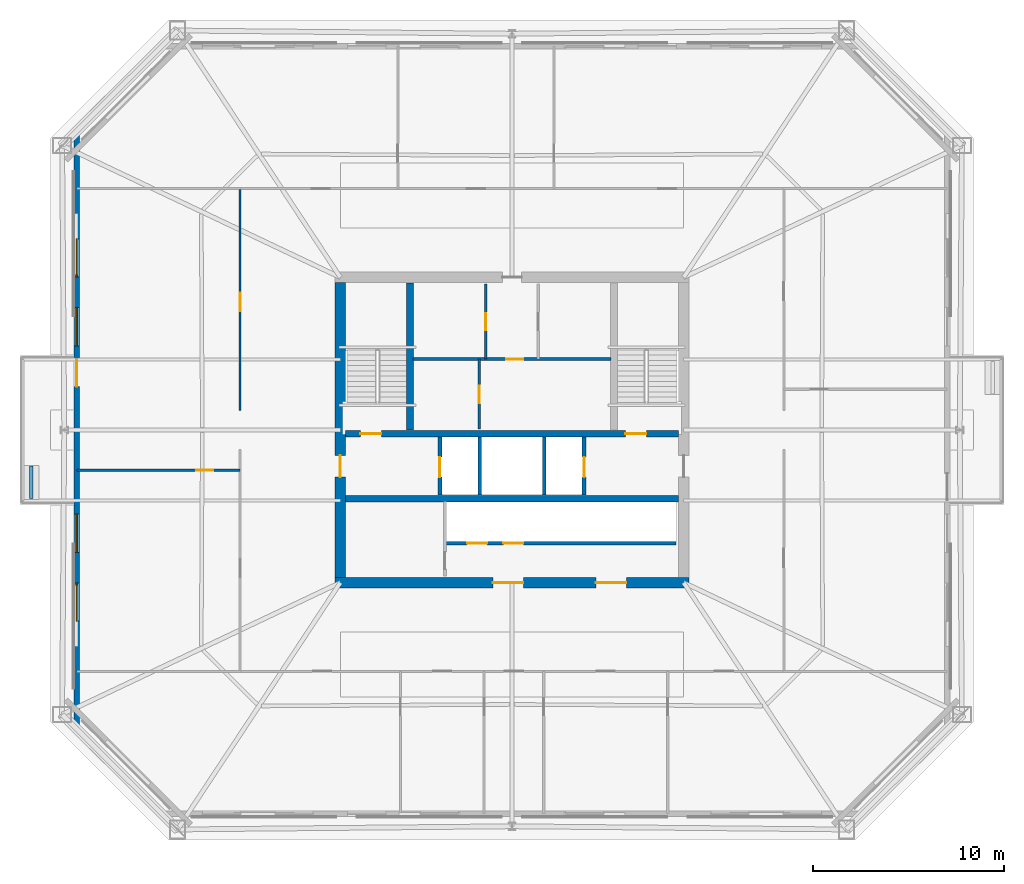
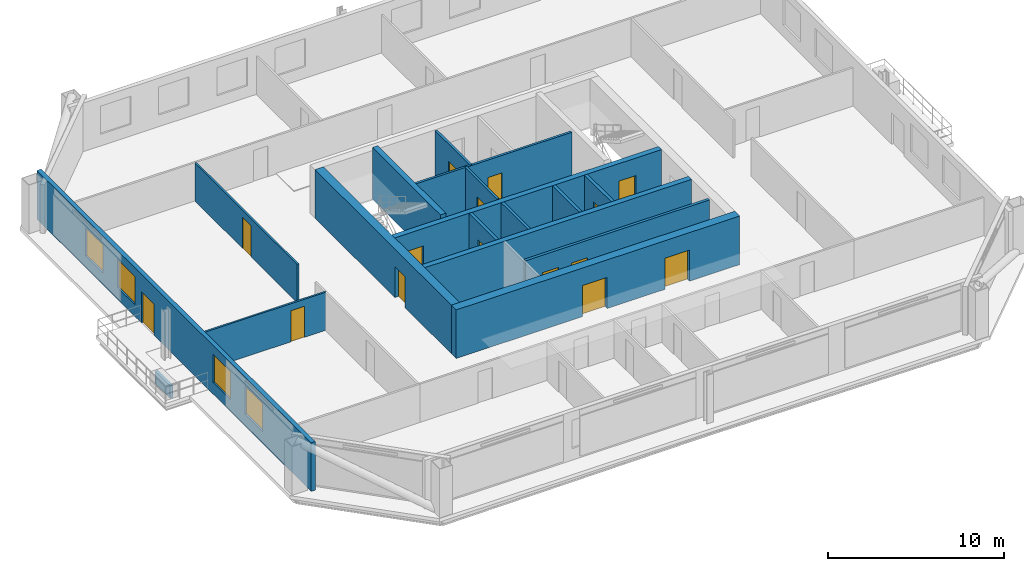
# One storey, part 3 of 8: 17 walls, 15 doors, 4 windows, 19 openings.
"""IFC4 building model written with IfcOpenShell, lengths in metres."""

from ifc_helpers import new_model, si_unit, direction, frame, frame_2d, origin, place, context, subcontext, project, spatial, rectangle, extrude, material, layer, layer_set, type_object, element, fill, save


model = new_model("IFC4")

# Units and contexts
model_context = context("Model", 3, precision=1e-05, world=origin(), true_north=direction((0.0, 1.0)))
body_context = subcontext(model_context, "Body", "Model", "MODEL_VIEW")
ifc_project = project(units=[si_unit("LENGTHUNIT", "METRE"), si_unit("AREAUNIT", "SQUARE_METRE"), si_unit("VOLUMEUNIT", "CUBIC_METRE"), si_unit("PLANEANGLEUNIT", "RADIAN"), si_unit("MASSUNIT", "GRAM", prefix="KILO")], contexts=[model_context])

# Site, building, storey
site_placement = place(None, origin())
site = spatial("IfcSite", under=ifc_project, at=site_placement, CompositionType="ELEMENT")
building_placement = place(site_placement, origin())
building = spatial("IfcBuilding", under=site, at=building_placement, Name="Caelvoria Tower", CompositionType="ELEMENT")
storey_placement = place(building_placement, frame((0.0, 0.0, 142.0)))
storey = spatial("IfcBuildingStorey", under=building, at=storey_placement, Name="L37", CompositionType="ELEMENT", Elevation=142.0)

# Wall
ifc_material_1 = material(Name="Bronze-Clad Concrete C40/50", Category="concrete")
ifc_layer_1 = layer(ifc_material_1, 0.179931640625, Name="Bronze-Clad Concrete C40/50")
ifc_layer_set_1 = layer_set([ifc_layer_1], Name="Architectural Planter Kerb Wall 180 - Bronze-Clad Concrete C40/50")
wall_type_1 = type_object("IfcWallType", Name="Architectural Planter Kerb Wall 180", PredefinedType="PARAPET", material=ifc_layer_set_1)
wall_1_placement = place(storey_placement, frame((20.800048828125, 28.39990234375, 0.0), z_axis=(0.0, 0.0, 1.0), x_axis=(0.0, 1.0, 0.0)))
element("IfcWall", 1, at=wall_1_placement, inside=storey, type_object=wall_type_1, Name="Tree Balcony Planter Kerb PLANTER TB-L37-W", PredefinedType="PARAPET", context=body_context, shape_type="SweptSolid", body=[
    extrude(rectangle(XDim=1.7001953125, YDim=0.179931640625, at=frame_2d((0.85009765625, 0.0))), origin(), (0.0, 0.0, 1.0), 0.8798828125),
])

# Wall, openings, doors
ifc_material_2 = material(Name="Concrete C50/60", Category="concrete")
ifc_layer_2 = layer(ifc_material_2, 0.35009765625, Name="Concrete C50/60")
ifc_layer_set_2 = layer_set([ifc_layer_2], Name="Core Internal Shear Wall 350 - Concrete C50/60")
wall_type_2 = type_object("IfcWallType", Name="Core Internal Shear Wall 350", PredefinedType="SHEAR", material=ifc_layer_set_2)
wall_2_placement = place(storey_placement, frame((37.27490234375, 31.800048828125, 0.0), z_axis=(0.0, 0.0, 1.0), x_axis=(1.0, 0.0, 0.0)))
wall_2 = element("IfcWall", 2, at=wall_2_placement, inside=storey, type_object=wall_type_2, Name="Core Shear Wall L37 M1", PredefinedType="SHEAR", context=body_context, shape_type="SweptSolid", body=[
    extrude(rectangle(XDim=17.4501953125, YDim=0.35009765625, at=frame_2d((8.72509765625, 0.0))), origin(), (0.0, 0.0, 1.0), 3.360107421875),
])
opening_1_placement = place(wall_2_placement, frame((0.77490234375, 0.0, 0.0)))
opening_1 = element("IfcOpeningElement", 3, at=opening_1_placement, cuts=wall_2, Name="Opening ID-01", PredefinedType="OPENING", context=body_context, shape_type="SweptSolid", body=[
    extrude(rectangle(XDim=1.10009765625, YDim=2.14990234375, at=frame_2d((0.550048828125, 1.074951171875))), frame((0.0, 0.18505859375, 0.0), z_axis=(0.0, -1.0, 0.0), x_axis=(1.0, 0.0, 0.0)), (0.0, 0.0, 1.0), 0.3701171875),
])
opening_2_placement = place(wall_2_placement, frame((14.675048828125, 0.0, 0.0)))
opening_2 = element("IfcOpeningElement", 4, at=opening_2_placement, cuts=wall_2, Name="Opening ID-01", PredefinedType="OPENING", context=body_context, shape_type="SweptSolid", body=[
    extrude(rectangle(XDim=1.10009765625, YDim=2.14990234375, at=frame_2d((0.550048828125, 1.074951171875))), frame((0.0, 0.18505859375, 0.0), z_axis=(0.0, -1.0, 0.0), x_axis=(1.0, 0.0, 0.0)), (0.0, 0.0, 1.0), 0.3701171875),
])
ifc_material_3 = material(Name="Painted Hollow Steel Fire Door", Category="steel")
door_type_1 = type_object("IfcDoorType", Name="Fire Door FD90S 1100x2150", OperationType="NOTDEFINED", PredefinedType="DOOR", material=ifc_material_3)
door_1_placement = place(opening_1_placement, origin())
door_1 = element("IfcDoor", 5, at=door_1_placement, inside=storey, type_object=door_type_1, Name="Core Door DR-L37-ST1", OperationType="SINGLE_SWING_LEFT", OverallHeight=2.14990234375, OverallWidth=1.10009765625, PredefinedType="DOOR", context=body_context, shape_type="SweptSolid", body=[
    extrude(rectangle(XDim=1.10009765625, YDim=2.14990234375, at=frame_2d((0.550048828125, 1.074951171875))), frame((0.0, 0.02490234375, 0.0), z_axis=(0.0, -1.0, 0.0), x_axis=(1.0, 0.0, 0.0)), (0.0, 0.0, 1.0), 0.050048828125),
])
fill(opening_1, door_1)
door_2_placement = place(opening_2_placement, origin())
door_2 = element("IfcDoor", 6, at=door_2_placement, inside=storey, type_object=door_type_1, Name="Core Door DR-L37-ST2", OperationType="SINGLE_SWING_RIGHT", OverallHeight=2.14990234375, OverallWidth=1.10009765625, PredefinedType="DOOR", context=body_context, shape_type="SweptSolid", body=[
    extrude(rectangle(XDim=1.10009765625, YDim=2.14990234375, at=frame_2d((0.550048828125, 1.074951171875))), frame((0.0, 0.02490234375, 0.0), z_axis=(0.0, -1.0, 0.0), x_axis=(1.0, 0.0, 0.0)), (0.0, 0.0, 1.0), 0.050048828125),
])
fill(opening_2, door_2)

# Walls
wall_3_placement = place(storey_placement, frame((37.27490234375, 28.39990234375, 0.0), z_axis=(0.0, 0.0, 1.0), x_axis=(1.0, 0.0, 0.0)))
element("IfcWall", 7, at=wall_3_placement, inside=storey, type_object=wall_type_2, Name="Core Shear Wall L37 M2", PredefinedType="SHEAR", context=body_context, shape_type="SweptSolid", body=[
    extrude(rectangle(XDim=17.4501953125, YDim=0.35009765625, at=frame_2d((8.72509765625, 0.0))), origin(), (0.0, 0.0, 1.0), 3.360107421875),
])
wall_4_placement = place(storey_placement, frame((40.64990234375, 32.0, 0.0), z_axis=(0.0, 0.0, 1.0), x_axis=(0.0, 1.0, 0.0)))
element("IfcWall", 8, at=wall_4_placement, inside=storey, type_object=wall_type_2, Name="Interior Partition IW-L37-ST1E", PredefinedType="SHEAR", context=body_context, shape_type="SweptSolid", body=[
    extrude(rectangle(XDim=7.699951171875, YDim=0.35009765625, at=frame_2d((3.85009765625, 0.0))), origin(), (0.0, 0.0, 1.0), 3.60009765625),
])

# Wall, opening, door
ifc_material_4 = material(Name="Double Gypsum Board on Steel Stud", Category="steel")
ifc_layer_3 = layer(ifc_material_4, 0.14990234375, Name="Double Gypsum Board on Steel Stud")
ifc_layer_set_3 = layer_set([ifc_layer_3], Name="Core Service Acoustic Partition Wall 150 - Double Gypsum Board on Steel Stud")
wall_type_3 = type_object("IfcWallType", Name="Core Service Acoustic Partition Wall 150", PredefinedType="PARTITIONING", material=ifc_layer_set_3)
wall_5_placement = place(storey_placement, frame((44.6201171875, 35.719970703125, 0.0), z_axis=(0.0, 0.0, 1.0), x_axis=(0.0, 1.0, 0.0)))
wall_5 = element("IfcWall", 9, at=wall_5_placement, inside=storey, type_object=wall_type_3, Name="Interior Partition IW-L37-C0L", PredefinedType="PARTITIONING", context=body_context, shape_type="SweptSolid", body=[
    extrude(rectangle(XDim=3.929931640625, YDim=0.14990234375, at=frame_2d((1.96484375, 0.0))), origin(), (0.0, 0.0, 1.0), 3.360107421875),
])
opening_3_placement = place(wall_5_placement, frame((1.5, 0.0, 0.0)))
opening_3 = element("IfcOpeningElement", 10, at=opening_3_placement, cuts=wall_5, Name="Opening ID-06", PredefinedType="OPENING", context=body_context, shape_type="SweptSolid", body=[
    extrude(rectangle(XDim=0.89990234375, YDim=2.14990234375, at=frame_2d((0.449951171875, 1.074951171875))), frame((0.0, 0.0849609375, 0.0), z_axis=(0.0, -1.0, 0.0), x_axis=(1.0, 0.0, 0.0)), (0.0, 0.0, 1.0), 0.169921875),
])
ifc_material_5 = material(Name="Engineered Andean Oak Veneer Door", Category="wood")
door_type_2 = type_object("IfcDoorType", Name="Interior Timber Door 900x2150", OperationType="NOTDEFINED", PredefinedType="DOOR", material=ifc_material_5)
door_3_placement = place(opening_3_placement, origin())
door_3 = element("IfcDoor", 11, at=door_3_placement, inside=storey, type_object=door_type_2, Name="Interior Door DR-L37-C01", OperationType="SINGLE_SWING_LEFT", OverallHeight=2.14990234375, OverallWidth=0.89990234375, PredefinedType="DOOR", context=body_context, shape_type="SweptSolid", body=[
    extrude(rectangle(XDim=0.89990234375, YDim=2.14990234375, at=frame_2d((0.449951171875, 1.074951171875))), frame((0.0, 0.02490234375, 0.0), z_axis=(0.0, -1.0, 0.0), x_axis=(1.0, 0.0, 0.0)), (0.0, 0.0, 1.0), 0.050048828125),
])
fill(opening_3, door_3)

wall_6_placement = place(storey_placement, frame((44.280029296875, 32.050048828125, 0.0), z_axis=(0.0, 0.0, 1.0), x_axis=(0.0, 1.0, 0.0)))
wall_6 = element("IfcWall", 12, at=wall_6_placement, inside=storey, type_object=wall_type_3, Name="Interior Partition IW-L37-C0M", PredefinedType="PARTITIONING", context=body_context, shape_type="SweptSolid", body=[
    extrude(rectangle(XDim=3.669921875, YDim=0.14990234375, at=frame_2d((1.8349609375, 0.0))), origin(), (0.0, 0.0, 1.0), 3.360107421875),
])
opening_4_placement = place(wall_6_placement, frame((1.35009765625, 0.0, 0.0)))
opening_4 = element("IfcOpeningElement", 13, at=opening_4_placement, cuts=wall_6, Name="Opening ID-07", PredefinedType="OPENING", context=body_context, shape_type="SweptSolid", body=[
    extrude(rectangle(XDim=0.919921875, YDim=2.14990234375, at=frame_2d((0.4599609375, 1.074951171875))), frame((0.0, 0.0849609375, 0.0), z_axis=(0.0, -1.0, 0.0), x_axis=(1.0, 0.0, 0.0)), (0.0, 0.0, 1.0), 0.169921875),
])
ifc_material_6 = material(Name="Engineered Andean Oak Accessible Door", Category="wood")
door_type_3 = type_object("IfcDoorType", Name="Accessible WC Door 950x2150", OperationType="NOTDEFINED", PredefinedType="DOOR", material=ifc_material_6)
door_4_placement = place(opening_4_placement, origin())
door_4 = element("IfcDoor", 14, at=door_4_placement, inside=storey, type_object=door_type_3, Name="Interior Door DR-L37-C05", OperationType="SINGLE_SWING_LEFT", OverallHeight=2.14990234375, OverallWidth=0.919921875, PredefinedType="DOOR", context=body_context, shape_type="SweptSolid", body=[
    extrude(rectangle(XDim=0.919921875, YDim=2.14990234375, at=frame_2d((0.4599609375, 1.074951171875))), frame((0.0, 0.02490234375, 0.0), z_axis=(0.0, -1.0, 0.0), x_axis=(1.0, 0.0, 0.0)), (0.0, 0.0, 1.0), 0.050048828125),
])
fill(opening_4, door_4)

wall_7_placement = place(storey_placement, frame((40.800048828125, 35.719970703125, 0.0), z_axis=(0.0, 0.0, 1.0), x_axis=(1.0, 0.0, 0.0)))
wall_7 = element("IfcWall", 15, at=wall_7_placement, inside=storey, type_object=wall_type_3, Name="Interior Partition IW-L37-C0H", PredefinedType="PARTITIONING", context=body_context, shape_type="SweptSolid", body=[
    extrude(rectangle(XDim=10.39990234375, YDim=0.14990234375, at=frame_2d((5.199951171875, 0.0))), origin(), (0.0, 0.0, 1.0), 3.360107421875),
])
opening_5_placement = place(wall_7_placement, frame((4.89990234375, 0.0, 0.0)))
opening_5 = element("IfcOpeningElement", 16, at=opening_5_placement, cuts=wall_7, Name="Opening ID-04", PredefinedType="OPENING", context=body_context, shape_type="SweptSolid", body=[
    extrude(rectangle(XDim=0.89990234375, YDim=2.14990234375, at=frame_2d((0.449951171875, 1.074951171875))), frame((0.0, 0.0849609375, 0.0), z_axis=(0.0, -1.0, 0.0), x_axis=(1.0, 0.0, 0.0)), (0.0, 0.0, 1.0), 0.169921875),
])
ifc_material_7 = material(Name="Acoustic Timber Fire Door", Category="wood")
door_type_4 = type_object("IfcDoorType", Name="Fire Door FD30S 900x2150", OperationType="NOTDEFINED", PredefinedType="DOOR", material=ifc_material_7)
door_5_placement = place(opening_5_placement, origin())
door_5 = element("IfcDoor", 17, at=door_5_placement, inside=storey, type_object=door_type_4, Name="Interior Door DR-L37-C04", OperationType="SINGLE_SWING_RIGHT", OverallHeight=2.14990234375, OverallWidth=0.89990234375, PredefinedType="DOOR", context=body_context, shape_type="SweptSolid", body=[
    extrude(rectangle(XDim=0.89990234375, YDim=2.14990234375, at=frame_2d((0.449951171875, 1.074951171875))), frame((0.0, 0.02490234375, 0.0), z_axis=(0.0, -1.0, 0.0), x_axis=(1.0, 0.0, 0.0)), (0.0, 0.0, 1.0), 0.050048828125),
])
fill(opening_5, door_5)

# Wall, openings, windows, door
ifc_material_8 = material(Name="Precast Concrete C40/50 with Bronze Cladding", Category="concrete")
ifc_layer_4 = layer(ifc_material_8, 0.280029296875, Name="Precast Concrete C40/50 with Bronze Cladding")
ifc_layer_set_4 = layer_set([ifc_layer_4], Name="Exterior Precast Concrete C40/50 Bronze-Clad Facade Wall 280 - Precast Concrete C40/50 with Bronze Cladding")
wall_type_4 = type_object("IfcWallType", Name="Exterior Precast Concrete C40/50 Bronze-Clad Facade Wall 280", PredefinedType="STANDARD", material=ifc_layer_set_4)
wall_8_placement = place(storey_placement, frame((23.179931640625, 47.5400390625, 0.0), z_axis=(0.0, 0.0, 1.0), x_axis=(0.0, -1.0, 0.0)))
wall_8 = element("IfcWall", 18, at=wall_8_placement, inside=storey, type_object=wall_type_4, Name="Exterior Facade Wall L37-E6", PredefinedType="STANDARD", context=body_context, shape_type="SweptSolid", body=[
    extrude(rectangle(XDim=31.080078125, YDim=0.280029296875, at=frame_2d((15.5400390625, 0.0))), origin(), (0.0, 0.0, 1.0), 3.360107421875),
])
opening_6_placement = place(wall_8_placement, frame((11.860107421875, 0.0, 0.0)))
opening_6 = element("IfcOpeningElement", 19, at=opening_6_placement, cuts=wall_8, Name="Opening ED-04", PredefinedType="OPENING", context=body_context, shape_type="SweptSolid", body=[
    extrude(rectangle(XDim=1.39990234375, YDim=2.14990234375, at=frame_2d((0.699951171875, 1.074951171875))), frame((0.0, 0.14990234375, 0.0), z_axis=(0.0, -1.0, 0.0), x_axis=(1.0, 0.0, 0.0)), (0.0, 0.0, 1.0), 0.300048828125),
])
opening_7_placement = place(wall_8_placement, frame((5.514892578125, 0.0, 0.800048828125)))
opening_7 = element("IfcOpeningElement", 20, at=opening_7_placement, cuts=wall_8, Name="Opening WN-01", PredefinedType="OPENING", context=body_context, shape_type="SweptSolid", body=[
    extrude(rectangle(XDim=2.0, YDim=1.949951171875, at=frame_2d((1.0, 0.97509765625))), frame((0.0, 0.14990234375, 0.0), z_axis=(0.0, -1.0, 0.0), x_axis=(1.0, 0.0, 0.0)), (0.0, 0.0, 1.0), 0.300048828125),
])
opening_8_placement = place(wall_8_placement, frame((9.125, 0.0, 0.800048828125)))
opening_8 = element("IfcOpeningElement", 21, at=opening_8_placement, cuts=wall_8, Name="Opening WN-01", PredefinedType="OPENING", context=body_context, shape_type="SweptSolid", body=[
    extrude(rectangle(XDim=2.0, YDim=1.949951171875, at=frame_2d((1.0, 0.97509765625))), frame((0.0, 0.14990234375, 0.0), z_axis=(0.0, -1.0, 0.0), x_axis=(1.0, 0.0, 0.0)), (0.0, 0.0, 1.0), 0.300048828125),
])
opening_9_placement = place(wall_8_placement, frame((19.955078125, 0.0, 0.800048828125)))
opening_9 = element("IfcOpeningElement", 22, at=opening_9_placement, cuts=wall_8, Name="Opening WN-01", PredefinedType="OPENING", context=body_context, shape_type="SweptSolid", body=[
    extrude(rectangle(XDim=2.0, YDim=1.949951171875, at=frame_2d((1.0, 0.97509765625))), frame((0.0, 0.14990234375, 0.0), z_axis=(0.0, -1.0, 0.0), x_axis=(1.0, 0.0, 0.0)), (0.0, 0.0, 1.0), 0.300048828125),
])
opening_10_placement = place(wall_8_placement, frame((23.56494140625, 0.0, 0.800048828125)))
opening_10 = element("IfcOpeningElement", 23, at=opening_10_placement, cuts=wall_8, Name="Opening WN-01", PredefinedType="OPENING", context=body_context, shape_type="SweptSolid", body=[
    extrude(rectangle(XDim=2.0, YDim=1.949951171875, at=frame_2d((1.0, 0.97509765625))), frame((0.0, 0.14990234375, 0.0), z_axis=(0.0, -1.0, 0.0), x_axis=(1.0, 0.0, 0.0)), (0.0, 0.0, 1.0), 0.300048828125),
])
ifc_material_9 = material(Name="Low-E Tinted Glass in Bronze Aluminium Frame", Category="aluminium")
window_type = type_object("IfcWindowType", Name="Tower Office Vision Window 2000x1950", PartitioningType="SINGLE_PANEL", PredefinedType="WINDOW", material=ifc_material_9)
window_1_placement = place(opening_7_placement, origin())
window_1 = element("IfcWindow", 24, at=window_1_placement, inside=storey, type_object=window_type, Name="Facade Window L37-E6-01", OverallHeight=1.949951171875, OverallWidth=2.0, PartitioningType="SINGLE_PANEL", PredefinedType="WINDOW", context=body_context, shape_type="SweptSolid", body=[
    extrude(rectangle(XDim=2.0, YDim=1.949951171875, at=frame_2d((1.0, 0.97509765625))), frame((0.0, 0.030029296875, 0.0), z_axis=(0.0, -1.0, 0.0), x_axis=(1.0, 0.0, 0.0)), (0.0, 0.0, 1.0), 0.06005859375),
])
fill(opening_7, window_1)
window_2_placement = place(opening_8_placement, origin())
window_2 = element("IfcWindow", 25, at=window_2_placement, inside=storey, type_object=window_type, Name="Facade Window L37-E6-02", OverallHeight=1.949951171875, OverallWidth=2.0, PartitioningType="SINGLE_PANEL", PredefinedType="WINDOW", context=body_context, shape_type="SweptSolid", body=[
    extrude(rectangle(XDim=2.0, YDim=1.949951171875, at=frame_2d((1.0, 0.97509765625))), frame((0.0, 0.030029296875, 0.0), z_axis=(0.0, -1.0, 0.0), x_axis=(1.0, 0.0, 0.0)), (0.0, 0.0, 1.0), 0.06005859375),
])
fill(opening_8, window_2)
window_3_placement = place(opening_9_placement, origin())
window_3 = element("IfcWindow", 26, at=window_3_placement, inside=storey, type_object=window_type, Name="Facade Window L37-E6-05", OverallHeight=1.949951171875, OverallWidth=2.0, PartitioningType="SINGLE_PANEL", PredefinedType="WINDOW", context=body_context, shape_type="SweptSolid", body=[
    extrude(rectangle(XDim=2.0, YDim=1.949951171875, at=frame_2d((1.0, 0.97509765625))), frame((0.0, 0.030029296875, 0.0), z_axis=(0.0, -1.0, 0.0), x_axis=(1.0, 0.0, 0.0)), (0.0, 0.0, 1.0), 0.06005859375),
])
fill(opening_9, window_3)
window_4_placement = place(opening_10_placement, origin())
window_4 = element("IfcWindow", 27, at=window_4_placement, inside=storey, type_object=window_type, Name="Facade Window L37-E6-06", OverallHeight=1.949951171875, OverallWidth=2.0, PartitioningType="SINGLE_PANEL", PredefinedType="WINDOW", context=body_context, shape_type="SweptSolid", body=[
    extrude(rectangle(XDim=2.0, YDim=1.949951171875, at=frame_2d((1.0, 0.97509765625))), frame((0.0, 0.030029296875, 0.0), z_axis=(0.0, -1.0, 0.0), x_axis=(1.0, 0.0, 0.0)), (0.0, 0.0, 1.0), 0.06005859375),
])
fill(opening_10, window_4)
ifc_material_10 = material(Name="Anodised Bronze Aluminium and Laminated Glass", Category="aluminium")
door_type_5 = type_object("IfcDoorType", Name="Tree Balcony Glazed Door 1400x2150", OperationType="NOTDEFINED", PredefinedType="DOOR", material=ifc_material_10)
door_6_placement = place(opening_6_placement, origin())
door_6 = element("IfcDoor", 28, at=door_6_placement, inside=storey, type_object=door_type_5, Name="Tree Balcony Door L37-W", OperationType="SINGLE_SWING_LEFT", OverallHeight=2.14990234375, OverallWidth=1.39990234375, PredefinedType="DOOR", context=body_context, shape_type="SweptSolid", body=[
    extrude(rectangle(XDim=1.39990234375, YDim=2.14990234375, at=frame_2d((0.699951171875, 1.074951171875))), frame((0.0, 0.02490234375, 0.0), z_axis=(0.0, -1.0, 0.0), x_axis=(1.0, 0.0, 0.0)), (0.0, 0.0, 1.0), 0.050048828125),
])
fill(opening_6, door_6)

# Walls
ifc_material_11 = material(Name="Concrete Block and Fireboard Assembly", Category="concrete")
ifc_layer_5 = layer(ifc_material_11, 0.179931640625, Name="Concrete Block and Fireboard Assembly")
ifc_layer_set_5 = layer_set([ifc_layer_5], Name="Fire-Rated Hoistway Partition Wall 180 - Concrete Block and Fireboard Assembly")
wall_type_5 = type_object("IfcWallType", Name="Fire-Rated Hoistway Partition Wall 180", PredefinedType="PARTITIONING", material=ifc_layer_set_5)
for number, where, z_axis, x_axis, name in (
    (29, (44.320068359375, 28.580078125, 0.0), (0.0, 0.0, 1.0), (0.0, 1.0, 0.0), "Interior Partition IW-L37-SV1W"),
    (30, (47.679931640625, 28.580078125, 0.0), (0.0, 0.0, 1.0), (0.0, 1.0, 0.0), "Interior Partition IW-L37-SV1E"),
):
    element("IfcWall", number, at=place(storey_placement, frame(where, z_axis=z_axis, x_axis=x_axis)), inside=storey, type_object=wall_type_5, Name=name, PredefinedType="PARTITIONING", context=body_context, shape_type="SweptSolid", body=[
        extrude(rectangle(XDim=3.0400390625, YDim=0.179931640625, at=frame_2d((1.52001953125, 0.0))), origin(), (0.0, 0.0, 1.0), 3.360107421875),
    ])

# Wall, openings, doors
wall_9_placement = place(storey_placement, frame((42.550048828125, 26.050048828125, 0.0), z_axis=(0.0, 0.0, 1.0), x_axis=(1.0, 0.0, 0.0)))
wall_9 = element("IfcWall", 31, at=wall_9_placement, inside=storey, type_object=wall_type_5, Name="Interior Partition IW-L37-LFRONT", PredefinedType="PARTITIONING", context=body_context, shape_type="SweptSolid", body=[
    extrude(rectangle(XDim=12.050048828125, YDim=0.179931640625, at=frame_2d((6.02490234375, 0.0))), origin(), (0.0, 0.0, 1.0), 3.360107421875),
])
opening_11_placement = place(wall_9_placement, frame((1.10009765625, 0.0, 0.0)))
opening_11 = element("IfcOpeningElement", 32, at=opening_11_placement, cuts=wall_9, Name="Opening LD-01", PredefinedType="OPENING", context=body_context, shape_type="SweptSolid", body=[
    extrude(rectangle(XDim=1.050048828125, YDim=2.14990234375, at=frame_2d((0.52490234375, 1.074951171875))), frame((0.0, 0.099853515625, 0.0), z_axis=(0.0, -1.0, 0.0), x_axis=(1.0, 0.0, 0.0)), (0.0, 0.0, 1.0), 0.199951171875),
])
opening_12_placement = place(wall_9_placement, frame((3.0, 0.0, 0.0)))
opening_12 = element("IfcOpeningElement", 33, at=opening_12_placement, cuts=wall_9, Name="Opening LD-01", PredefinedType="OPENING", context=body_context, shape_type="SweptSolid", body=[
    extrude(rectangle(XDim=1.050048828125, YDim=2.14990234375, at=frame_2d((0.52490234375, 1.074951171875))), frame((0.0, 0.099853515625, 0.0), z_axis=(0.0, -1.0, 0.0), x_axis=(1.0, 0.0, 0.0)), (0.0, 0.0, 1.0), 0.199951171875),
])
ifc_material_12 = material(Name="Brushed Bronze Stainless Sliding Landing Door", Category="aluminium")
door_type_6 = type_object("IfcDoorType", Name="Lift Landing Sliding Door 1100x2150", OperationType="NOTDEFINED", PredefinedType="DOOR", material=ifc_material_12)
door_7_placement = place(opening_11_placement, origin())
door_7 = element("IfcDoor", 34, at=door_7_placement, inside=storey, type_object=door_type_6, Name="Interior Door LD-L37-PM1", OperationType="SLIDING_TO_LEFT", OverallHeight=2.14990234375, OverallWidth=1.050048828125, PredefinedType="DOOR", context=body_context, shape_type="SweptSolid", body=[
    extrude(rectangle(XDim=1.050048828125, YDim=2.14990234375, at=frame_2d((0.52490234375, 1.074951171875))), frame((0.0, 0.02490234375, 0.0), z_axis=(0.0, -1.0, 0.0), x_axis=(1.0, 0.0, 0.0)), (0.0, 0.0, 1.0), 0.050048828125),
])
fill(opening_11, door_7)
door_8_placement = place(opening_12_placement, origin())
door_8 = element("IfcDoor", 35, at=door_8_placement, inside=storey, type_object=door_type_6, Name="Interior Door LD-L37-PM2", OperationType="SLIDING_TO_RIGHT", OverallHeight=2.14990234375, OverallWidth=1.050048828125, PredefinedType="DOOR", context=body_context, shape_type="SweptSolid", body=[
    extrude(rectangle(XDim=1.050048828125, YDim=2.14990234375, at=frame_2d((0.52490234375, 1.074951171875))), frame((0.0, 0.02490234375, 0.0), z_axis=(0.0, -1.0, 0.0), x_axis=(1.0, 0.0, 0.0)), (0.0, 0.0, 1.0), 0.050048828125),
])
fill(opening_12, door_8)

# Wall, opening, door
ifc_layer_6 = layer(ifc_material_11, 0.199951171875, Name="Concrete Block and Fireboard Assembly")
ifc_layer_set_6 = layer_set([ifc_layer_6], Name="Fire-Rated Shaft and Core Partition Wall 200 - Concrete Block and Fireboard Assembly")
wall_type_6 = type_object("IfcWallType", Name="Fire-Rated Shaft and Core Partition Wall 200", PredefinedType="PARTITIONING", material=ifc_layer_set_6)
wall_10_placement = place(storey_placement, frame((42.219970703125, 28.580078125, 0.0), z_axis=(0.0, 0.0, 1.0), x_axis=(0.0, 1.0, 0.0)))
wall_10 = element("IfcWall", 36, at=wall_10_placement, inside=storey, type_object=wall_type_6, Name="Interior Partition IW-L37-LF1W", PredefinedType="PARTITIONING", context=body_context, shape_type="SweptSolid", body=[
    extrude(rectangle(XDim=3.0400390625, YDim=0.199951171875, at=frame_2d((1.52001953125, 0.0))), origin(), (0.0, 0.0, 1.0), 3.360107421875),
])
opening_13_placement = place(wall_10_placement, frame((0.949951171875, 0.0, 0.0)))
opening_13 = element("IfcOpeningElement", 37, at=opening_13_placement, cuts=wall_10, Name="Opening LD-01", PredefinedType="OPENING", context=body_context, shape_type="SweptSolid", body=[
    extrude(rectangle(XDim=1.050048828125, YDim=2.14990234375, at=frame_2d((0.52490234375, 1.074951171875))), frame((0.0, 0.10986328125, 0.0), z_axis=(0.0, -1.0, 0.0), x_axis=(1.0, 0.0, 0.0)), (0.0, 0.0, 1.0), 0.219970703125),
])
door_9_placement = place(opening_13_placement, origin())
door_9 = element("IfcDoor", 38, at=door_9_placement, inside=storey, type_object=door_type_6, Name="Interior Door LD-L37-LF1", OperationType="SLIDING_TO_LEFT", OverallHeight=2.14990234375, OverallWidth=1.050048828125, PredefinedType="DOOR", context=body_context, shape_type="SweptSolid", body=[
    extrude(rectangle(XDim=1.050048828125, YDim=2.14990234375, at=frame_2d((0.52490234375, 1.074951171875))), frame((0.0, 0.02490234375, 0.0), z_axis=(0.0, -1.0, 0.0), x_axis=(1.0, 0.0, 0.0)), (0.0, 0.0, 1.0), 0.050048828125),
])
fill(opening_13, door_9)

wall_11_placement = place(storey_placement, frame((49.780029296875, 28.580078125, 0.0), z_axis=(0.0, 0.0, 1.0), x_axis=(0.0, 1.0, 0.0)))
wall_11 = element("IfcWall", 39, at=wall_11_placement, inside=storey, type_object=wall_type_6, Name="Interior Partition IW-L37-LF2E", PredefinedType="PARTITIONING", context=body_context, shape_type="SweptSolid", body=[
    extrude(rectangle(XDim=3.0400390625, YDim=0.199951171875, at=frame_2d((1.52001953125, 0.0))), origin(), (0.0, 0.0, 1.0), 3.360107421875),
])
opening_14_placement = place(wall_11_placement, frame((0.949951171875, 0.0, 0.0)))
opening_14 = element("IfcOpeningElement", 40, at=opening_14_placement, cuts=wall_11, Name="Opening LD-01", PredefinedType="OPENING", context=body_context, shape_type="SweptSolid", body=[
    extrude(rectangle(XDim=1.050048828125, YDim=2.14990234375, at=frame_2d((0.52490234375, 1.074951171875))), frame((0.0, 0.10986328125, 0.0), z_axis=(0.0, -1.0, 0.0), x_axis=(1.0, 0.0, 0.0)), (0.0, 0.0, 1.0), 0.219970703125),
])
door_10_placement = place(opening_14_placement, origin())
door_10 = element("IfcDoor", 41, at=door_10_placement, inside=storey, type_object=door_type_6, Name="Interior Door LD-L37-LF2", OperationType="SLIDING_TO_RIGHT", OverallHeight=2.14990234375, OverallWidth=1.050048828125, PredefinedType="DOOR", context=body_context, shape_type="SweptSolid", body=[
    extrude(rectangle(XDim=1.050048828125, YDim=2.14990234375, at=frame_2d((0.52490234375, 1.074951171875))), frame((0.0, 0.02490234375, 0.0), z_axis=(0.0, -1.0, 0.0), x_axis=(1.0, 0.0, 0.0)), (0.0, 0.0, 1.0), 0.050048828125),
])
fill(opening_14, door_10)

# Wall, openings, doors
ifc_material_13 = material(Name="Concrete C55/67", Category="concrete")
ifc_layer_7 = layer(ifc_material_13, 0.550048828125, Name="Concrete C55/67")
ifc_layer_set_7 = layer_set([ifc_layer_7], Name="Mid Core Shear Wall 550 - Concrete C55/67")
wall_type_7 = type_object("IfcWallType", Name="Mid Core Shear Wall 550", PredefinedType="SHEAR", material=ifc_layer_set_7)
wall_12_placement = place(storey_placement, frame((36.72509765625, 24.0, 0.0), z_axis=(0.0, 0.0, 1.0), x_axis=(1.0, 0.0, 0.0)))
wall_12 = element("IfcWall", 42, at=wall_12_placement, inside=storey, type_object=wall_type_7, Name="Core Shear Wall L37 S", PredefinedType="SHEAR", context=body_context, shape_type="SweptSolid", body=[
    extrude(rectangle(XDim=18.5498046875, YDim=0.550048828125, at=frame_2d((9.27490234375, 0.0))), origin(), (0.0, 0.0, 1.0), 3.360107421875),
])
opening_15_placement = place(wall_12_placement, frame((8.27490234375, 0.0, 0.0)))
opening_15 = element("IfcOpeningElement", 43, at=opening_15_placement, cuts=wall_12, Name="Opening ID-08", PredefinedType="OPENING", context=body_context, shape_type="SweptSolid", body=[
    extrude(rectangle(XDim=1.60009765625, YDim=2.14990234375, at=frame_2d((0.800048828125, 1.074951171875))), frame((0.0, 0.284912109375, 0.0), z_axis=(0.0, -1.0, 0.0), x_axis=(1.0, 0.0, 0.0)), (0.0, 0.0, 1.0), 0.570068359375),
])
opening_16_placement = place(wall_12_placement, frame((13.675048828125, 0.0, 0.0)))
opening_16 = element("IfcOpeningElement", 44, at=opening_16_placement, cuts=wall_12, Name="Opening ID-08", PredefinedType="OPENING", context=body_context, shape_type="SweptSolid", body=[
    extrude(rectangle(XDim=1.60009765625, YDim=2.14990234375, at=frame_2d((0.800048828125, 1.074951171875))), frame((0.0, 0.284912109375, 0.0), z_axis=(0.0, -1.0, 0.0), x_axis=(1.0, 0.0, 0.0)), (0.0, 0.0, 1.0), 0.570068359375),
])
ifc_material_14 = material(Name="Bronze-Framed Fire-Rated Glazed Double Door", Category="aluminium")
door_type_7 = type_object("IfcDoorType", Name="Double Lobby Glazed Door 1600x2200", OperationType="NOTDEFINED", PredefinedType="DOOR", material=ifc_material_14)
door_11_placement = place(opening_15_placement, origin())
door_11 = element("IfcDoor", 45, at=door_11_placement, inside=storey, type_object=door_type_7, Name="Core Door DR-L37-LLOB-S1", OperationType="DOUBLE_DOOR_SINGLE_SWING", OverallHeight=2.14990234375, OverallWidth=1.60009765625, PredefinedType="DOOR", context=body_context, shape_type="SweptSolid", body=[
    extrude(rectangle(XDim=1.60009765625, YDim=2.14990234375, at=frame_2d((0.800048828125, 1.074951171875))), frame((0.0, 0.02490234375, 0.0), z_axis=(0.0, -1.0, 0.0), x_axis=(1.0, 0.0, 0.0)), (0.0, 0.0, 1.0), 0.050048828125),
])
fill(opening_15, door_11)
door_12_placement = place(opening_16_placement, origin())
door_12 = element("IfcDoor", 46, at=door_12_placement, inside=storey, type_object=door_type_7, Name="Core Door DR-L37-LLOB-S2", OperationType="DOUBLE_DOOR_SINGLE_SWING", OverallHeight=2.14990234375, OverallWidth=1.60009765625, PredefinedType="DOOR", context=body_context, shape_type="SweptSolid", body=[
    extrude(rectangle(XDim=1.60009765625, YDim=2.14990234375, at=frame_2d((0.800048828125, 1.074951171875))), frame((0.0, 0.02490234375, 0.0), z_axis=(0.0, -1.0, 0.0), x_axis=(1.0, 0.0, 0.0)), (0.0, 0.0, 1.0), 0.050048828125),
])
fill(opening_16, door_12)

# Wall, opening, door
wall_13_placement = place(storey_placement, frame((37.0, 24.27490234375, 0.0), z_axis=(0.0, 0.0, 1.0), x_axis=(0.0, 1.0, 0.0)))
wall_13 = element("IfcWall", 47, at=wall_13_placement, inside=storey, type_object=wall_type_7, Name="Core Shear Wall L37 W", PredefinedType="SHEAR", context=body_context, shape_type="SweptSolid", body=[
    extrude(rectangle(XDim=15.4501953125, YDim=0.550048828125, at=frame_2d((7.72509765625, 0.0))), origin(), (0.0, 0.0, 1.0), 3.360107421875),
])
opening_17_placement = place(wall_13_placement, frame((5.25, 0.0, 0.0)))
opening_17 = element("IfcOpeningElement", 48, at=opening_17_placement, cuts=wall_13, Name="Opening ID-02", PredefinedType="OPENING", context=body_context, shape_type="SweptSolid", body=[
    extrude(rectangle(XDim=1.14990234375, YDim=2.14990234375, at=frame_2d((0.574951171875, 1.074951171875))), frame((0.0, 0.284912109375, 0.0), z_axis=(0.0, -1.0, 0.0), x_axis=(1.0, 0.0, 0.0)), (0.0, 0.0, 1.0), 0.570068359375),
])
door_type_8 = type_object("IfcDoorType", Name="Fire Door FD60S 1150x2150", OperationType="NOTDEFINED", PredefinedType="DOOR", material=ifc_material_3)
door_13_placement = place(opening_17_placement, origin())
door_13 = element("IfcDoor", 49, at=door_13_placement, inside=storey, type_object=door_type_8, Name="Core Door DR-L37-FFLW-OUT", OperationType="SINGLE_SWING_LEFT", OverallHeight=2.14990234375, OverallWidth=1.14990234375, PredefinedType="DOOR", context=body_context, shape_type="SweptSolid", body=[
    extrude(rectangle(XDim=1.14990234375, YDim=2.14990234375, at=frame_2d((0.574951171875, 1.074951171875))), frame((0.0, 0.02490234375, 0.0), z_axis=(0.0, -1.0, 0.0), x_axis=(1.0, 0.0, 0.0)), (0.0, 0.0, 1.0), 0.050048828125),
])
fill(opening_17, door_13)

ifc_material_15 = material(Name="Acoustic Gypsum Board on Light-Gauge Stud", Category="gypsum")
ifc_layer_8 = layer(ifc_material_15, 0.1201171875, Name="Acoustic Gypsum Board on Light-Gauge Stud")
ifc_layer_set_8 = layer_set([ifc_layer_8], Name="Tenant Suite Acoustic Partition Wall 120 - Acoustic Gypsum Board on Light-Gauge Stud")
wall_type_8 = type_object("IfcWallType", Name="Tenant Suite Acoustic Partition Wall 120", PredefinedType="PARTITIONING", material=ifc_layer_set_8)
wall_14_placement = place(storey_placement, frame((31.739990234375, 29.88671875, 0.0), z_axis=(0.0, 0.0, 1.0), x_axis=(-1.0, 0.0, 0.0)))
wall_14 = element("IfcWall", 50, at=wall_14_placement, inside=storey, type_object=wall_type_8, Name="Interior Partition IW-L37-WD-00-0", PredefinedType="PARTITIONING", context=body_context, shape_type="SweptSolid", body=[
    extrude(rectangle(XDim=8.56005859375, YDim=0.1201171875, at=frame_2d((4.280029296875, 0.0))), origin(), (0.0, 0.0, 1.0), 2.639892578125),
])
opening_18_placement = place(wall_14_placement, frame((1.39990234375, 0.0, 0.0)))
opening_18 = element("IfcOpeningElement", 51, at=opening_18_placement, cuts=wall_14, Name="Opening ID-06", PredefinedType="OPENING", context=body_context, shape_type="SweptSolid", body=[
    extrude(rectangle(XDim=0.89990234375, YDim=2.14990234375, at=frame_2d((0.449951171875, 1.074951171875))), frame((0.0, 0.070068359375, 0.0), z_axis=(0.0, -1.0, 0.0), x_axis=(1.0, 0.0, 0.0)), (0.0, 0.0, 1.0), 0.14013671875),
])
door_14_placement = place(opening_18_placement, origin())
door_14 = element("IfcDoor", 52, at=door_14_placement, inside=storey, type_object=door_type_2, Name="Interior Door DR-L37-WM-00-0", OperationType="SINGLE_SWING_RIGHT", OverallHeight=2.14990234375, OverallWidth=0.89990234375, PredefinedType="DOOR", context=body_context, shape_type="SweptSolid", body=[
    extrude(rectangle(XDim=0.89990234375, YDim=2.14990234375, at=frame_2d((0.449951171875, 1.074951171875))), frame((0.0, 0.02490234375, 0.0), z_axis=(0.0, -1.0, 0.0), x_axis=(1.0, 0.0, 0.0)), (0.0, 0.0, 1.0), 0.050048828125),
])
fill(opening_18, door_14)

wall_15_placement = place(storey_placement, frame((31.739990234375, 33.02001953125, 0.0), z_axis=(0.0, 0.0, 1.0), x_axis=(0.0, 1.0, 0.0)))
wall_15 = element("IfcWall", 53, at=wall_15_placement, inside=storey, type_object=wall_type_8, Name="Interior Partition IW-L37-WCW-1", PredefinedType="PARTITIONING", context=body_context, shape_type="SweptSolid", body=[
    extrude(rectangle(XDim=11.580078125, YDim=0.1201171875, at=frame_2d((5.7900390625, 0.0))), origin(), (0.0, 0.0, 1.0), 2.639892578125),
])
opening_19_placement = place(wall_15_placement, frame((5.215087890625, 0.0, 0.0)))
opening_19 = element("IfcOpeningElement", 54, at=opening_19_placement, cuts=wall_15, Name="Opening ID-05", PredefinedType="OPENING", context=body_context, shape_type="SweptSolid", body=[
    extrude(rectangle(XDim=0.949951171875, YDim=2.14990234375, at=frame_2d((0.47509765625, 1.074951171875))), frame((0.0, 0.070068359375, 0.0), z_axis=(0.0, -1.0, 0.0), x_axis=(1.0, 0.0, 0.0)), (0.0, 0.0, 1.0), 0.14013671875),
])
door_type_9 = type_object("IfcDoorType", Name="Interior Timber Door 950x2150", OperationType="NOTDEFINED", PredefinedType="DOOR", material=ifc_material_5)
door_15_placement = place(opening_19_placement, origin())
door_15 = element("IfcDoor", 55, at=door_15_placement, inside=storey, type_object=door_type_9, Name="Interior Door DR-L37-WC-01-0", OperationType="SINGLE_SWING_LEFT", OverallHeight=2.14990234375, OverallWidth=0.949951171875, PredefinedType="DOOR", context=body_context, shape_type="SweptSolid", body=[
    extrude(rectangle(XDim=0.949951171875, YDim=2.14990234375, at=frame_2d((0.47509765625, 1.074951171875))), frame((0.0, 0.02490234375, 0.0), z_axis=(0.0, -1.0, 0.0), x_axis=(1.0, 0.0, 0.0)), (0.0, 0.0, 1.0), 0.050048828125),
])
fill(opening_19, door_15)

save(model, "model.ifc")
